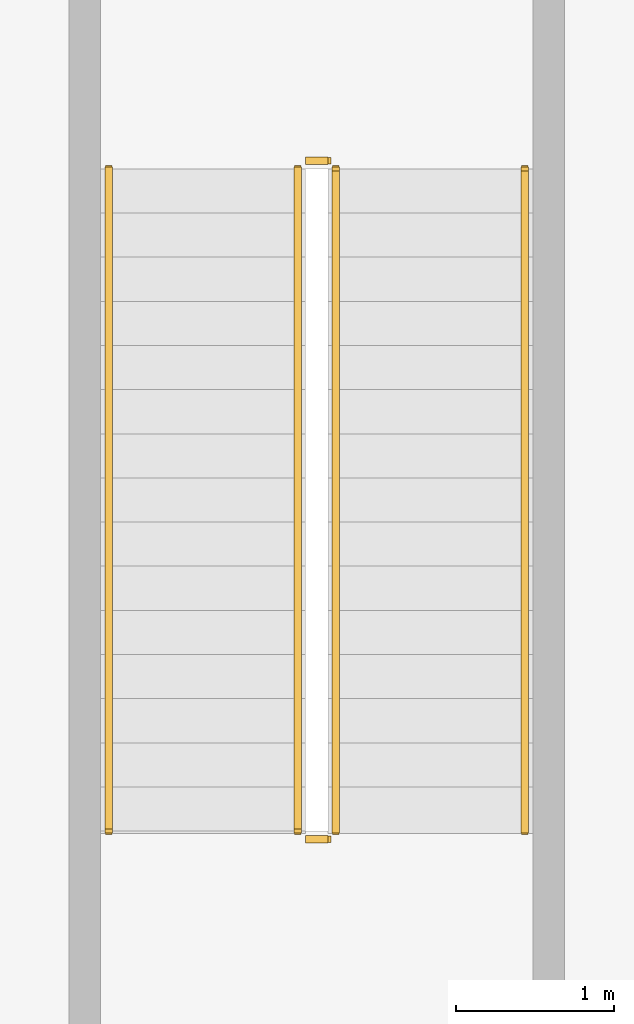
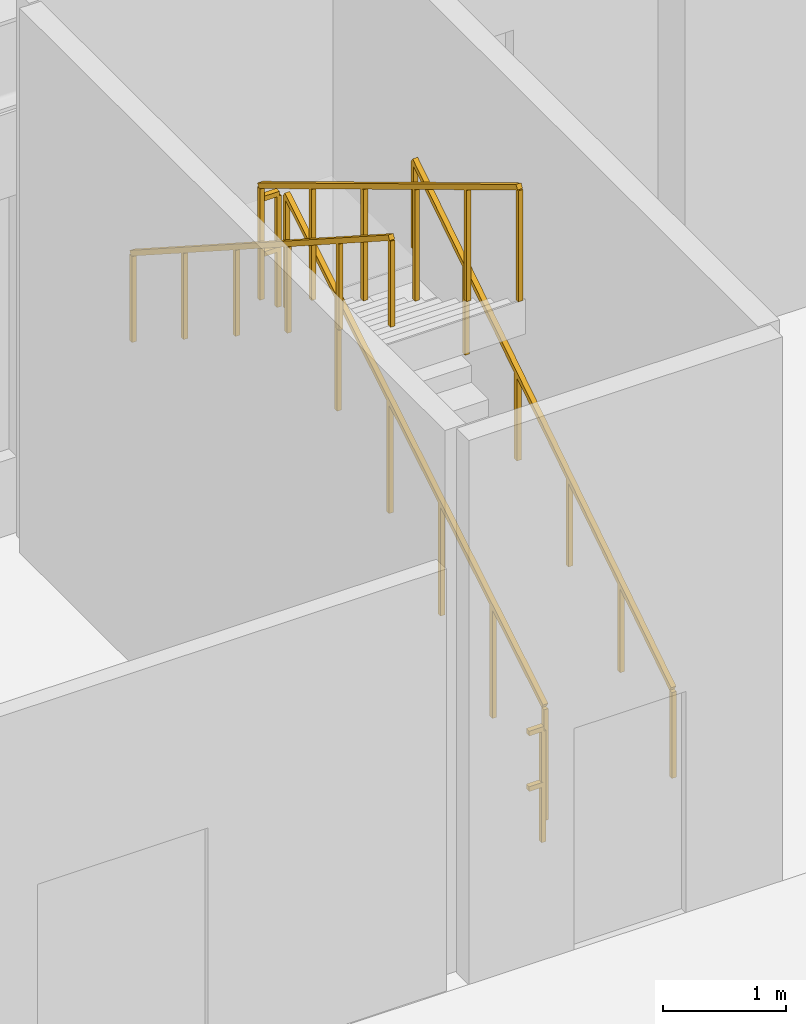
# One storey, part 20 of 20: 6 railings.
"""IFC4 building model written with IfcOpenShell, lengths in metres."""

from ifc_helpers import new_model, si_unit, derived_unit, direction, frame, origin, origin_2d, place, context, subcontext, project, spatial, rectangle, extrude, material, type_object, element, save


model = new_model("IFC4")

# Units and contexts
model_context = context("Model", 3, precision=1e-05, world=origin(), true_north=direction((0.0, 1.0)))
body_context = subcontext(model_context, "Body", "Model", "MODEL_VIEW")
ifc_project = project(units=[si_unit("LENGTHUNIT", "METRE"), si_unit("AREAUNIT", "SQUARE_METRE"), si_unit("VOLUMEUNIT", "CUBIC_METRE"), si_unit("PLANEANGLEUNIT", "RADIAN"), si_unit("MASSUNIT", "GRAM", prefix="KILO"), si_unit("THERMODYNAMICTEMPERATUREUNIT", "KELVIN"), si_unit("POWERUNIT", "WATT"), derived_unit("THERMALTRANSMITTANCEUNIT", [(si_unit("POWERUNIT", "WATT"), 1), (si_unit("AREAUNIT", "SQUARE_METRE"), -1), (si_unit("THERMODYNAMICTEMPERATUREUNIT", "KELVIN"), -1)])], contexts=[model_context])

# Site, building, storey
site_placement = place(None, origin())
site = spatial("IfcSite", under=ifc_project, at=site_placement, CompositionType="ELEMENT")
building_placement = place(site_placement, origin())
building = spatial("IfcBuilding", under=site, at=building_placement, Name="Zahravan Archway Hotel and Residences", CompositionType="ELEMENT")
storey_placement = place(building_placement, frame((0.0, 0.0, 16.199951171875)))
storey = spatial("IfcBuildingStorey", under=building, at=storey_placement, Name="L03", CompositionType="ELEMENT", Elevation=16.199951171875)

# Railings
ifc_material_1 = material(Name="Painted Tubular Steel", Category="steel")
railing_type_1 = type_object("IfcRailingType", Name="RL-STG-1150", PredefinedType="GUARDRAIL", material=ifc_material_1)
railing_1_placement = place(storey_placement, frame((74.14990234375, 40.77001953125, 0.168701171875)))
element("IfcRailing", 1, at=railing_1_placement, inside=storey, type_object=railing_type_1, Name="L03 ST-P1 stair guard 1", PredefinedType="GUARDRAIL", context=body_context, shape_type="SweptSolid", body=[
    extrude(rectangle(XDim=0.048095703125, YDim=0.048095703125, at=origin_2d()), frame((0.0, 0.0, 1.1259765625), z_axis=(0.0, 0.856476492594, 0.516186030065), x_axis=(-1.0, 0.0, 0.0)), (0.0, 0.0, 1.0), 4.90380859375),
    extrude(rectangle(XDim=0.0419921875, YDim=0.0419921875, at=origin_2d()), origin(), (0.0, 0.0, 1.0), 1.101806640625),
    extrude(rectangle(XDim=0.0419921875, YDim=0.0419921875, at=origin_2d()), frame((0.0, 0.840087890625, 0.50634765625)), (0.0, 0.0, 1.0), 1.101806640625),
    extrude(rectangle(XDim=0.0419921875, YDim=0.0419921875, at=origin_2d()), frame((0.0, 1.679931640625, 1.012451171875)), (0.0, 0.0, 1.0), 1.101806640625),
    extrude(rectangle(XDim=0.0419921875, YDim=0.0419921875, at=origin_2d()), frame((0.0, 2.52001953125, 1.518798828125)), (0.0, 0.0, 1.0), 1.101806640625),
    extrude(rectangle(XDim=0.0419921875, YDim=0.0419921875, at=origin_2d()), frame((0.0, 3.35986328125, 2.02490234375)), (0.0, 0.0, 1.0), 1.101806640625),
    extrude(rectangle(XDim=0.0419921875, YDim=0.0419921875, at=origin_2d()), frame((0.0, 4.199951171875, 2.53125)), (0.0, 0.0, 1.0), 1.101806640625),
])
railing_2_placement = place(storey_placement, frame((74.10009765625, 45.02001953125, 2.699951171875)))
element("IfcRailing", 2, at=railing_2_placement, inside=storey, type_object=railing_type_1, Name="L03 ST-P1 stair guard 2", PredefinedType="GUARDRAIL", context=body_context, shape_type="SweptSolid", body=[
    extrude(rectangle(XDim=0.048095703125, YDim=0.048095703125, at=origin_2d()), frame((0.0, 0.0, 1.1259765625), z_axis=(-1.0, 0.0, 0.0), x_axis=(0.0, -1.0, 0.0)), (0.0, 0.0, 1.0), 0.14013671875),
    extrude(rectangle(XDim=0.048095703125, YDim=0.048095703125, at=origin_2d()), frame((0.0, 0.0, 0.574951171875), z_axis=(-1.0, 0.0, 0.0), x_axis=(0.0, -1.0, 0.0)), (0.0, 0.0, 1.0), 0.14013671875),
    extrude(rectangle(XDim=0.0419921875, YDim=0.0419921875, at=origin_2d()), origin(), (0.0, 0.0, 1.0), 1.101806640625),
])
railing_3_placement = place(storey_placement, frame((73.909912109375, 44.969970703125, 2.868896484375)))
element("IfcRailing", 3, at=railing_3_placement, inside=storey, type_object=railing_type_1, Name="L03 ST-P1 stair guard 3", PredefinedType="GUARDRAIL", context=body_context, shape_type="SweptSolid", body=[
    extrude(rectangle(XDim=0.048095703125, YDim=0.048095703125, at=origin_2d()), frame((0.0, 0.0, 1.1259765625), z_axis=(0.0, -0.856476492594, 0.516186030065), x_axis=(1.0, 0.0, 0.0)), (0.0, 0.0, 1.0), 4.90380859375),
    extrude(rectangle(XDim=0.0419921875, YDim=0.0419921875, at=origin_2d()), origin(), (0.0, 0.0, 1.0), 1.101806640625),
    extrude(rectangle(XDim=0.0419921875, YDim=0.0419921875, at=origin_2d()), frame((0.0, -0.840087890625, 0.50634765625)), (0.0, 0.0, 1.0), 1.101806640625),
    extrude(rectangle(XDim=0.0419921875, YDim=0.0419921875, at=origin_2d()), frame((0.0, -1.679931640625, 1.012451171875)), (0.0, 0.0, 1.0), 1.101806640625),
    extrude(rectangle(XDim=0.0419921875, YDim=0.0419921875, at=origin_2d()), frame((0.0, -2.52001953125, 1.518798828125)), (0.0, 0.0, 1.0), 1.101806640625),
    extrude(rectangle(XDim=0.0419921875, YDim=0.0419921875, at=origin_2d()), frame((0.0, -3.35986328125, 2.02490234375)), (0.0, 0.0, 1.0), 1.101806640625),
    extrude(rectangle(XDim=0.0419921875, YDim=0.0419921875, at=origin_2d()), frame((0.0, -4.199951171875, 2.53125)), (0.0, 0.0, 1.0), 1.101806640625),
])
railing_4_placement = place(storey_placement, frame((74.10009765625, 40.719970703125, 0.0)))
element("IfcRailing", 4, at=railing_4_placement, inside=storey, type_object=railing_type_1, Name="L03 ST-P1 stair guard 4", PredefinedType="GUARDRAIL", context=body_context, shape_type="SweptSolid", body=[
    extrude(rectangle(XDim=0.048095703125, YDim=0.048095703125, at=origin_2d()), frame((0.0, 0.0, 1.1259765625), z_axis=(-1.0, 0.0, 0.0), x_axis=(0.0, -1.0, 0.0)), (0.0, 0.0, 1.0), 0.14013671875),
    extrude(rectangle(XDim=0.048095703125, YDim=0.048095703125, at=origin_2d()), frame((0.0, 0.0, 0.574951171875), z_axis=(-1.0, 0.0, 0.0), x_axis=(0.0, -1.0, 0.0)), (0.0, 0.0, 1.0), 0.14013671875),
    extrude(rectangle(XDim=0.0419921875, YDim=0.0419921875, at=origin_2d()), origin(), (0.0, 0.0, 1.0), 1.101806640625),
])
ifc_material_2 = material(Name="Brushed Stainless Steel", Category="steel")
railing_type_2 = type_object("IfcRailingType", Name="RL-STH-900", PredefinedType="HANDRAIL", material=ifc_material_2)
railing_5_placement = place(storey_placement, frame((75.35009765625, 40.77001953125, 0.168701171875)))
element("IfcRailing", 5, at=railing_5_placement, inside=storey, type_object=railing_type_2, Name="L03 ST-P1 stair handrail 1", PredefinedType="HANDRAIL", context=body_context, shape_type="SweptSolid", body=[
    extrude(rectangle(XDim=0.048095703125, YDim=0.048095703125, at=origin_2d()), frame((0.0, 0.0, 0.8759765625), z_axis=(0.0, 0.841157821942, 0.54078971753), x_axis=(-1.0, 0.0, 0.0)), (0.0, 0.0, 1.0), 4.9931640625),
    extrude(rectangle(XDim=0.0419921875, YDim=0.0419921875, at=origin_2d()), origin(), (0.0, 0.0, 1.0), 0.851806640625),
    extrude(rectangle(XDim=0.0419921875, YDim=0.0419921875, at=origin_2d()), frame((0.0, 0.840087890625, 0.5400390625)), (0.0, 0.0, 1.0), 0.851806640625),
    extrude(rectangle(XDim=0.0419921875, YDim=0.0419921875, at=origin_2d()), frame((0.0, 1.679931640625, 1.080078125)), (0.0, 0.0, 1.0), 0.851806640625),
    extrude(rectangle(XDim=0.0419921875, YDim=0.0419921875, at=origin_2d()), frame((0.0, 2.52001953125, 1.6201171875)), (0.0, 0.0, 1.0), 0.851806640625),
    extrude(rectangle(XDim=0.0419921875, YDim=0.0419921875, at=origin_2d()), frame((0.0, 3.35986328125, 2.16015625)), (0.0, 0.0, 1.0), 0.851806640625),
    extrude(rectangle(XDim=0.0419921875, YDim=0.0419921875, at=origin_2d()), frame((0.0, 4.199951171875, 2.7001953125)), (0.0, 0.0, 1.0), 0.851806640625),
])
railing_6_placement = place(storey_placement, frame((72.7099609375, 44.969970703125, 2.868896484375)))
element("IfcRailing", 6, at=railing_6_placement, inside=storey, type_object=railing_type_2, Name="L03 ST-P1 stair handrail 2", PredefinedType="HANDRAIL", context=body_context, shape_type="SweptSolid", body=[
    extrude(rectangle(XDim=0.048095703125, YDim=0.048095703125, at=origin_2d()), frame((0.0, 0.0, 0.8759765625), z_axis=(0.0, -0.841180064094, 0.540755119968), x_axis=(1.0, 0.0, 0.0)), (0.0, 0.0, 1.0), 4.992919921875),
    extrude(rectangle(XDim=0.0419921875, YDim=0.0419921875, at=origin_2d()), origin(), (0.0, 0.0, 1.0), 0.851806640625),
    extrude(rectangle(XDim=0.0419921875, YDim=0.0419921875, at=origin_2d()), frame((0.0, -0.840087890625, 0.5400390625)), (0.0, 0.0, 1.0), 0.851806640625),
    extrude(rectangle(XDim=0.0419921875, YDim=0.0419921875, at=origin_2d()), frame((0.0, -1.679931640625, 1.080078125)), (0.0, 0.0, 1.0), 0.851806640625),
    extrude(rectangle(XDim=0.0419921875, YDim=0.0419921875, at=origin_2d()), frame((0.0, -2.52001953125, 1.619873046875)), (0.0, 0.0, 1.0), 0.851806640625),
    extrude(rectangle(XDim=0.0419921875, YDim=0.0419921875, at=origin_2d()), frame((0.0, -3.35986328125, 2.159912109375)), (0.0, 0.0, 1.0), 0.851806640625),
    extrude(rectangle(XDim=0.0419921875, YDim=0.0419921875, at=origin_2d()), frame((0.0, -4.199951171875, 2.699951171875)), (0.0, 0.0, 1.0), 0.851806640625),
])

save(model, "model.ifc")
